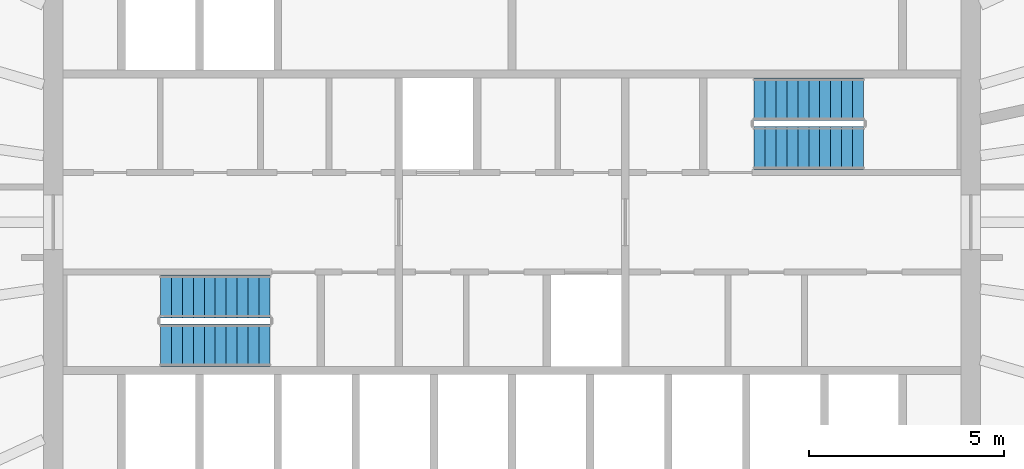
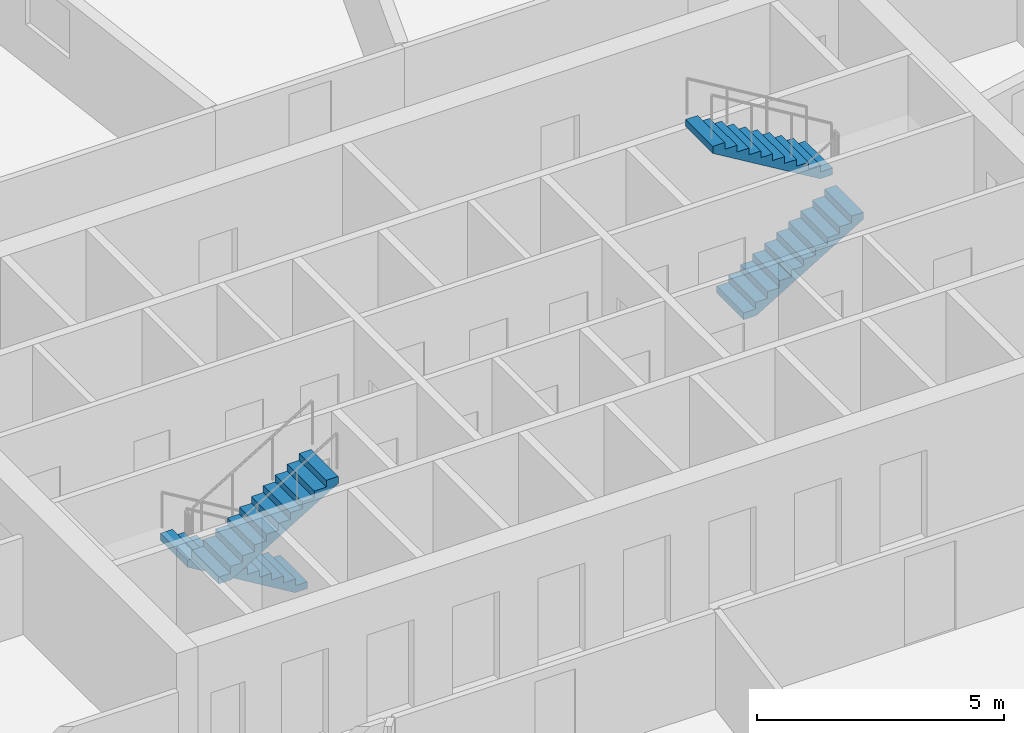
# One storey, part 11 of 12: 4 stair flights, 2 elements without a shape of their own.
"""IFC4 building model written with IfcOpenShell, lengths in metres."""

from ifc_helpers import new_model, si_unit, direction, frame, origin, place, context, subcontext, project, spatial, polyline, outline, extrude, material, type_object, element, aggregate, save


model = new_model("IFC4")

# Units and contexts
model_context = context("Model", 3, precision=1e-05, world=origin(), true_north=direction((0.0, 1.0)))
body_context = subcontext(model_context, "Body", "Model", "MODEL_VIEW")
ifc_project = project(units=[si_unit("LENGTHUNIT", "METRE"), si_unit("AREAUNIT", "SQUARE_METRE"), si_unit("VOLUMEUNIT", "CUBIC_METRE"), si_unit("PLANEANGLEUNIT", "RADIAN"), si_unit("MASSUNIT", "GRAM", prefix="KILO")], contexts=[model_context])

# Site, building, storey
site_placement = place(None, origin())
site = spatial("IfcSite", under=ifc_project, at=site_placement, CompositionType="ELEMENT")
building_placement = place(site_placement, origin())
building = spatial("IfcBuilding", under=site, at=building_placement, Name="Siaravel Broadcast Tower", CompositionType="ELEMENT")
storey_placement = place(building_placement, frame((0.0, 0.0, 104.5)))
storey = spatial("IfcBuildingStorey", under=building, at=storey_placement, Name="L24", CompositionType="ELEMENT", Elevation=104.5)

# Stair, stair flights
ifc_material = material(Name="Concrete C40/50", Category="concrete")
stair_type = type_object("IfcStairType", Name="Core exit stair", PredefinedType="HALF_TURN_STAIR", material=ifc_material)
stair_1_placement = place(storey_placement, origin())
stair_1 = element("IfcStair", 1, at=stair_1_placement, inside=storey, type_object=stair_type, Name="L24 Exit stair ST-1", PredefinedType="HALF_TURN_STAIR")
stair_flight_type = type_object("IfcStairFlightType", Name="Stair flight 1100", PredefinedType="STRAIGHT", material=ifc_material)
stair_flight_1_placement = place(storey_placement, frame((-6.199951171875, -1.89990234375, 0.0), z_axis=(0.0, 0.0, 1.0), x_axis=(-1.0, 0.0, 0.0)))
stair_flight_1 = element("IfcStairFlight", 2, at=stair_flight_1_placement, type_object=stair_flight_type, Name="ST-1 flight 1", NumberOfRisers=11, NumberOfTreads=10, PredefinedType="STRAIGHT", RiserHeight=0.1681818, TreadLength=0.28, context=body_context, shape_type="SweptSolid", body=[
    extrude(outline(polyline([(0.0, 0.0), (0.0, 0.168212890625), (0.280029296875, 0.168212890625), (0.280029296875, 0.33642578125), (0.56005859375, 0.33642578125), (0.56005859375, 0.504638671875), (0.840087890625, 0.504638671875), (0.840087890625, 0.672607421875), (1.1201171875, 0.672607421875), (1.1201171875, 0.8408203125), (1.39990234375, 0.8408203125), (1.39990234375, 1.009033203125), (1.679931640625, 1.009033203125), (1.679931640625, 1.17724609375), (1.9599609375, 1.17724609375), (1.9599609375, 1.345458984375), (2.239990234375, 1.345458984375), (2.239990234375, 1.513671875), (2.52001953125, 1.513671875), (2.52001953125, 1.681884765625), (2.800048828125, 1.681884765625), (2.800048828125, 1.85009765625), (2.800048828125, 1.5068359375), (0.291015625, 0.0), (0.0, 0.0)])), frame((0.0, 0.550048828125, 0.0), z_axis=(0.0, -1.0, 0.0), x_axis=(1.0, 0.0, 0.0)), (0.0, 0.0, 1.0), 1.10009765625),
])
stair_flight_2_placement = place(storey_placement, frame((-9.0, -3.14990234375, 1.85009765625), z_axis=(0.0, 0.0, 1.0), x_axis=(1.0, 0.0, 0.0)))
stair_flight_2 = element("IfcStairFlight", 3, at=stair_flight_2_placement, type_object=stair_flight_type, Name="ST-1 flight 2", NumberOfRisers=11, NumberOfTreads=10, PredefinedType="STRAIGHT", RiserHeight=0.1681818, TreadLength=0.28, context=body_context, shape_type="SweptSolid", body=[
    extrude(outline(polyline([(0.0, 0.0), (0.0, 0.168212890625), (0.280029296875, 0.168212890625), (0.280029296875, 0.33642578125), (0.56005859375, 0.33642578125), (0.56005859375, 0.504638671875), (0.840087890625, 0.504638671875), (0.840087890625, 0.672607421875), (1.1201171875, 0.672607421875), (1.1201171875, 0.8408203125), (1.39990234375, 0.8408203125), (1.39990234375, 1.009033203125), (1.679931640625, 1.009033203125), (1.679931640625, 1.17724609375), (1.9599609375, 1.17724609375), (1.9599609375, 1.345458984375), (2.239990234375, 1.345458984375), (2.239990234375, 1.513671875), (2.52001953125, 1.513671875), (2.52001953125, 1.681884765625), (2.800048828125, 1.681884765625), (2.800048828125, 1.85009765625), (2.800048828125, 1.5068359375), (0.291015625, 0.0), (0.0, 0.0)])), frame((0.0, 0.550048828125, 0.0), z_axis=(0.0, -1.0, 0.0), x_axis=(1.0, 0.0, 0.0)), (0.0, 0.0, 1.0), 1.10009765625),
])
aggregate(stair_1, [stair_flight_1, stair_flight_2])

stair_2_placement = place(storey_placement, origin())
stair_2 = element("IfcStair", 4, at=stair_2_placement, inside=storey, type_object=stair_type, Name="L24 Exit stair ST-2", PredefinedType="HALF_TURN_STAIR")
stair_flight_3_placement = place(storey_placement, frame((6.199951171875, 1.89990234375, 0.0), z_axis=(0.0, 0.0, 1.0), x_axis=(1.0, 0.0, 0.0)))
stair_flight_3 = element("IfcStairFlight", 5, at=stair_flight_3_placement, type_object=stair_flight_type, Name="ST-2 flight 1", NumberOfRisers=11, NumberOfTreads=10, PredefinedType="STRAIGHT", RiserHeight=0.1681818, TreadLength=0.28, context=body_context, shape_type="SweptSolid", body=[
    extrude(outline(polyline([(0.0, 0.0), (0.0, 0.168212890625), (0.280029296875, 0.168212890625), (0.280029296875, 0.33642578125), (0.56005859375, 0.33642578125), (0.56005859375, 0.504638671875), (0.840087890625, 0.504638671875), (0.840087890625, 0.672607421875), (1.1201171875, 0.672607421875), (1.1201171875, 0.8408203125), (1.39990234375, 0.8408203125), (1.39990234375, 1.009033203125), (1.679931640625, 1.009033203125), (1.679931640625, 1.17724609375), (1.9599609375, 1.17724609375), (1.9599609375, 1.345458984375), (2.239990234375, 1.345458984375), (2.239990234375, 1.513671875), (2.52001953125, 1.513671875), (2.52001953125, 1.681884765625), (2.800048828125, 1.681884765625), (2.800048828125, 1.85009765625), (2.800048828125, 1.5068359375), (0.291015625, 0.0), (0.0, 0.0)])), frame((0.0, 0.550048828125, 0.0), z_axis=(0.0, -1.0, 0.0), x_axis=(1.0, 0.0, 0.0)), (0.0, 0.0, 1.0), 1.10009765625),
])
stair_flight_4_placement = place(storey_placement, frame((9.0, 3.14990234375, 1.85009765625), z_axis=(0.0, 0.0, 1.0), x_axis=(-1.0, 0.0, 0.0)))
stair_flight_4 = element("IfcStairFlight", 6, at=stair_flight_4_placement, type_object=stair_flight_type, Name="ST-2 flight 2", NumberOfRisers=11, NumberOfTreads=10, PredefinedType="STRAIGHT", RiserHeight=0.1681818, TreadLength=0.28, context=body_context, shape_type="SweptSolid", body=[
    extrude(outline(polyline([(0.0, 0.0), (0.0, 0.168212890625), (0.280029296875, 0.168212890625), (0.280029296875, 0.33642578125), (0.56005859375, 0.33642578125), (0.56005859375, 0.504638671875), (0.840087890625, 0.504638671875), (0.840087890625, 0.672607421875), (1.1201171875, 0.672607421875), (1.1201171875, 0.8408203125), (1.39990234375, 0.8408203125), (1.39990234375, 1.009033203125), (1.679931640625, 1.009033203125), (1.679931640625, 1.17724609375), (1.9599609375, 1.17724609375), (1.9599609375, 1.345458984375), (2.239990234375, 1.345458984375), (2.239990234375, 1.513671875), (2.52001953125, 1.513671875), (2.52001953125, 1.681884765625), (2.800048828125, 1.681884765625), (2.800048828125, 1.85009765625), (2.800048828125, 1.5068359375), (0.291015625, 0.0), (0.0, 0.0)])), frame((0.0, 0.550048828125, 0.0), z_axis=(0.0, -1.0, 0.0), x_axis=(1.0, 0.0, 0.0)), (0.0, 0.0, 1.0), 1.10009765625),
])
aggregate(stair_2, [stair_flight_3, stair_flight_4])

save(model, "model.ifc")
